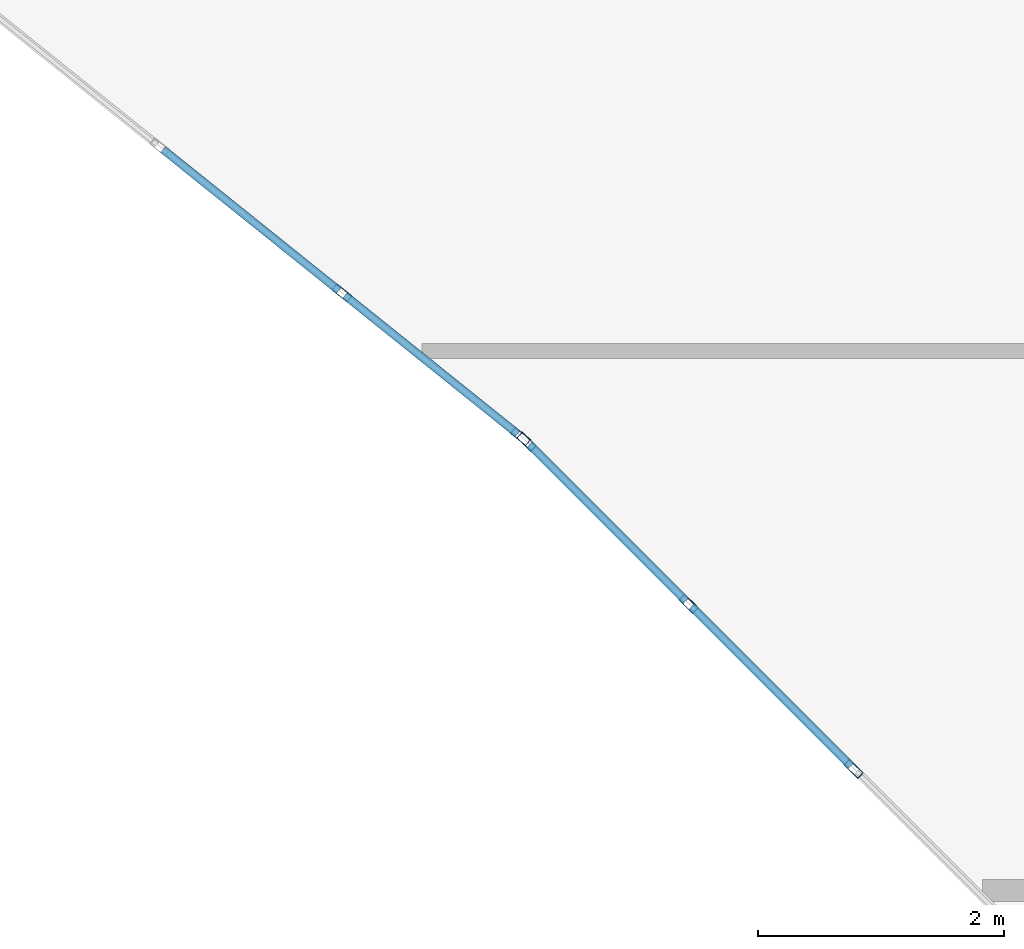
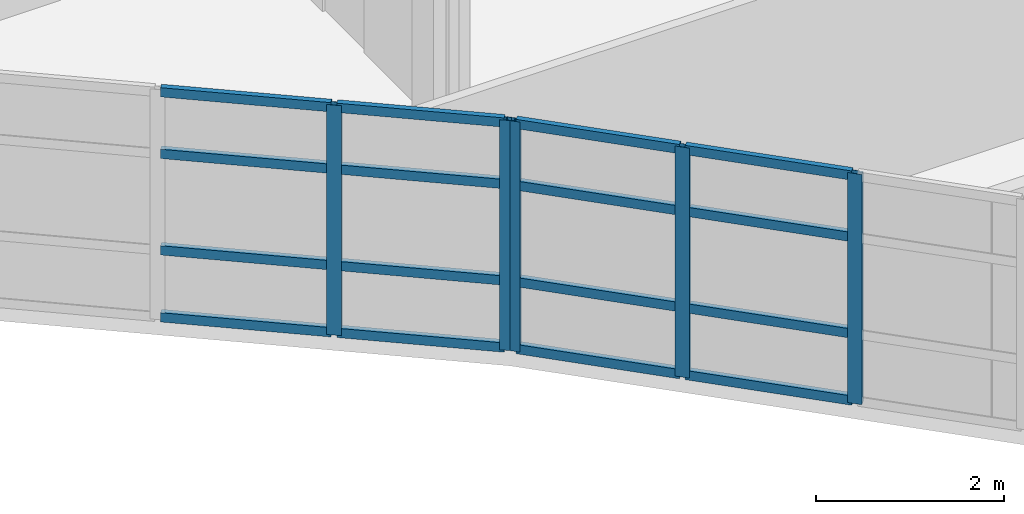
# One storey, part 7 of 18: 21 members, 2 elements without a shape of their own.
"""IFC4 building model written with IfcOpenShell, lengths in metres."""

from ifc_helpers import new_model, si_unit, direction, frame, origin, origin_2d, place, context, subcontext, project, spatial, hollow_rectangle, extrude, material, layer, layer_set, material_profile, profile_set, type_object, element, aggregate, save


model = new_model("IFC4")

# Units and contexts
model_context = context("Model", 3, precision=1e-05, world=origin(), true_north=direction((0.0, 1.0)))
body_context = subcontext(model_context, "Body", "Model", "MODEL_VIEW")
ifc_project = project(units=[si_unit("LENGTHUNIT", "METRE"), si_unit("AREAUNIT", "SQUARE_METRE"), si_unit("VOLUMEUNIT", "CUBIC_METRE"), si_unit("PLANEANGLEUNIT", "RADIAN"), si_unit("MASSUNIT", "GRAM", prefix="KILO")], contexts=[model_context])

# Site, building, storey
site_placement = place(None, origin())
site = spatial("IfcSite", under=ifc_project, at=site_placement, CompositionType="ELEMENT")
building_placement = place(site_placement, origin())
building = spatial("IfcBuilding", under=site, at=building_placement, Name="Keldmere Railside Commons", CompositionType="ELEMENT")
storey_placement = place(building_placement, frame((0.0, 0.0, 39.360107421875)))
storey = spatial("IfcBuildingStorey", under=building, at=storey_placement, Name="L12", CompositionType="ELEMENT", Elevation=39.360107421875)

# Curtain wall, members
ifc_material = material(Name="Thermally Broken Aluminium", Category="aluminium")
ifc_layer_1 = layer(ifc_material, 0.159912109375, Name="Court Chord Wintergarden CW 5400x2850")
ifc_layer_set_1 = layer_set([ifc_layer_1], Name="Thermally Broken Aluminium")
curtain_wall_type_1 = type_object("IfcCurtainWallType", Name="Court Chord Wintergarden CW 5400x2850", PredefinedType="NOTDEFINED", material=ifc_layer_set_1)
curtain_wall_1_placement = place(storey_placement, origin())
curtain_wall_1 = element("IfcCurtainWall", 1, at=curtain_wall_1_placement, inside=storey, type_object=curtain_wall_type_1, Name="CW-13 CW-L12-193", PredefinedType="NOTDEFINED")
ifc_material_profile_1 = material_profile(ifc_material, hollow_rectangle(XDim=0.06494140625, YDim=0.159912109375, WallThickness=0.00390625, at=origin_2d()), Name="ALU-MULL-65x160")
ifc_profile_set_1 = profile_set([ifc_material_profile_1], Name="Thermally Broken Aluminium")
member_type_1 = type_object("IfcMemberType", Name="Unitised Curtain Wall Mullion 65x160", PredefinedType="MULLION", material=ifc_profile_set_1)
member_1_placement = place(storey_placement, frame((160.404541015625, 96.46630859375, 0.0), z_axis=(0.0, 0.0, 1.0), x_axis=(-0.625768080915, -0.780009172323, 0.0)))
member_1 = element("IfcMember", 2, at=member_1_placement, type_object=member_type_1, Name="CW-13 mullion 1", PredefinedType="MULLION", context=body_context, shape_type="SweptSolid", body=[
    extrude(hollow_rectangle(XDim=0.06494140625, YDim=0.159912109375, WallThickness=0.00390625, at=origin_2d()), origin(), (0.0, 0.0, 1.0), 2.97998046875),
])
member_2_placement = place(storey_placement, frame((158.953369140625, 97.630615234375, 0.0), z_axis=(0.0, 0.0, 1.0), x_axis=(-0.625768080915, -0.780009172323, 0.0)))
member_2 = element("IfcMember", 3, at=member_2_placement, type_object=member_type_1, Name="CW-13 mullion 2", PredefinedType="MULLION", context=body_context, shape_type="SweptSolid", body=[
    extrude(hollow_rectangle(XDim=0.06494140625, YDim=0.159912109375, WallThickness=0.00390625, at=origin_2d()), origin(), (0.0, 0.0, 1.0), 2.97998046875),
])

ifc_layer_2 = layer(ifc_material, 0.159912109375, Name="Court Chord Wintergarden CW 4800x2850")
ifc_layer_set_2 = layer_set([ifc_layer_2], Name="Thermally Broken Aluminium")
curtain_wall_type_2 = type_object("IfcCurtainWallType", Name="Court Chord Wintergarden CW 4800x2850", PredefinedType="NOTDEFINED", material=ifc_layer_set_2)
curtain_wall_2_placement = place(storey_placement, origin())
curtain_wall_2 = element("IfcCurtainWall", 4, at=curtain_wall_2_placement, inside=storey, type_object=curtain_wall_type_2, Name="CW-12 CW-L12-194", PredefinedType="NOTDEFINED")
member_3_placement = place(storey_placement, frame((163.107421875, 93.7685546875, 0.0), z_axis=(0.0, 0.0, 1.0), x_axis=(-0.707106781187, -0.707106781187, 0.0)))
member_3 = element("IfcMember", 5, at=member_3_placement, type_object=member_type_1, Name="CW-12 mullion 2", PredefinedType="MULLION", context=body_context, shape_type="SweptSolid", body=[
    extrude(hollow_rectangle(XDim=0.06494140625, YDim=0.159912109375, WallThickness=0.00390625, at=origin_2d()), origin(), (0.0, 0.0, 1.0), 2.97998046875),
])
member_4_placement = place(storey_placement, frame((161.7685546875, 95.107421875, 0.0), z_axis=(0.0, 0.0, 1.0), x_axis=(-0.707106781187, -0.707106781187, 0.0)))
member_4 = element("IfcMember", 6, at=member_4_placement, type_object=member_type_1, Name="CW-12 mullion 3", PredefinedType="MULLION", context=body_context, shape_type="SweptSolid", body=[
    extrude(hollow_rectangle(XDim=0.06494140625, YDim=0.159912109375, WallThickness=0.00390625, at=origin_2d()), origin(), (0.0, 0.0, 1.0), 2.97998046875),
])
member_5_placement = place(storey_placement, frame((160.452880859375, 96.423095703125, 0.0), z_axis=(0.0, 0.0, 1.0), x_axis=(-0.707106781187, -0.707106781187, 0.0)))
member_5 = element("IfcMember", 7, at=member_5_placement, type_object=member_type_1, Name="CW-12 mullion 4", PredefinedType="MULLION", context=body_context, shape_type="SweptSolid", body=[
    extrude(hollow_rectangle(XDim=0.06494140625, YDim=0.159912109375, WallThickness=0.00390625, at=origin_2d()), origin(), (0.0, 0.0, 1.0), 2.97998046875),
])

# Member
ifc_material_profile_2 = material_profile(ifc_material, hollow_rectangle(XDim=0.06494140625, YDim=0.1201171875, WallThickness=0.00390625, at=origin_2d()), Name="ALU-TRAN-65x120")
ifc_profile_set_2 = profile_set([ifc_material_profile_2], Name="Thermally Broken Aluminium")
member_type_2 = type_object("IfcMemberType", Name="Unitised Curtain Wall Transom 65x120", PredefinedType="USERDEFINED", material=ifc_profile_set_2)
member_6_placement = place(storey_placement, frame((160.37939453125, 96.486572265625, 0.032470703125), z_axis=(-0.779979331565, 0.625805275091, 0.0), x_axis=(-0.625805275091, -0.779979331565, 0.0)))
member_6 = element("IfcMember", 8, at=member_6_placement, type_object=member_type_2, Name="CW-13 transom 1.1", ObjectType="TRANSOM", PredefinedType="USERDEFINED", context=body_context, shape_type="SweptSolid", body=[
    extrude(hollow_rectangle(XDim=0.06494140625, YDim=0.1201171875, WallThickness=0.00390625, at=origin_2d()), origin(), (0.0, 0.0, 1.0), 1.795654296875),
])

member_7_placement = place(storey_placement, frame((160.37939453125, 96.486572265625, 0.89990234375), z_axis=(-0.779979331565, 0.625805275091, 0.0), x_axis=(-0.625805275091, -0.779979331565, 0.0)))
member_7 = element("IfcMember", 9, at=member_7_placement, type_object=member_type_2, Name="CW-13 transom 1.2", ObjectType="TRANSOM", PredefinedType="USERDEFINED", context=body_context, shape_type="SweptSolid", body=[
    extrude(hollow_rectangle(XDim=0.06494140625, YDim=0.1201171875, WallThickness=0.00390625, at=origin_2d()), origin(), (0.0, 0.0, 1.0), 1.795654296875),
])

member_8_placement = place(storey_placement, frame((160.37939453125, 96.486572265625, 2.14990234375), z_axis=(-0.779979331565, 0.625805275091, 0.0), x_axis=(-0.625805275091, -0.779979331565, 0.0)))
member_8 = element("IfcMember", 10, at=member_8_placement, type_object=member_type_2, Name="CW-13 transom 1.3", ObjectType="TRANSOM", PredefinedType="USERDEFINED", context=body_context, shape_type="SweptSolid", body=[
    extrude(hollow_rectangle(XDim=0.06494140625, YDim=0.1201171875, WallThickness=0.00390625, at=origin_2d()), origin(), (0.0, 0.0, 1.0), 1.795654296875),
])

member_9_placement = place(storey_placement, frame((160.37939453125, 96.486572265625, 2.947509765625), z_axis=(-0.779979331565, 0.625805275091, 0.0), x_axis=(-0.625805275091, -0.779979331565, 0.0)))
member_9 = element("IfcMember", 11, at=member_9_placement, type_object=member_type_2, Name="CW-13 transom 1.4", ObjectType="TRANSOM", PredefinedType="USERDEFINED", context=body_context, shape_type="SweptSolid", body=[
    extrude(hollow_rectangle(XDim=0.06494140625, YDim=0.1201171875, WallThickness=0.00390625, at=origin_2d()), origin(), (0.0, 0.0, 1.0), 1.795654296875),
])

member_10_placement = place(storey_placement, frame((158.927978515625, 97.651123046875, 0.032470703125), z_axis=(-0.78007338409, 0.625688033635, 0.0), x_axis=(-0.625688033635, -0.78007338409, 0.0)))
member_10 = element("IfcMember", 12, at=member_10_placement, type_object=member_type_2, Name="CW-13 transom 2.1", ObjectType="TRANSOM", PredefinedType="USERDEFINED", context=body_context, shape_type="SweptSolid", body=[
    extrude(hollow_rectangle(XDim=0.06494140625, YDim=0.1201171875, WallThickness=0.00390625, at=origin_2d()), origin(), (0.0, 0.0, 1.0), 1.828125),
])

member_11_placement = place(storey_placement, frame((158.927978515625, 97.651123046875, 0.89990234375), z_axis=(-0.78007338409, 0.625688033635, 0.0), x_axis=(-0.625688033635, -0.78007338409, 0.0)))
member_11 = element("IfcMember", 13, at=member_11_placement, type_object=member_type_2, Name="CW-13 transom 2.2", ObjectType="TRANSOM", PredefinedType="USERDEFINED", context=body_context, shape_type="SweptSolid", body=[
    extrude(hollow_rectangle(XDim=0.06494140625, YDim=0.1201171875, WallThickness=0.00390625, at=origin_2d()), origin(), (0.0, 0.0, 1.0), 1.828125),
])

member_12_placement = place(storey_placement, frame((158.927978515625, 97.651123046875, 2.14990234375), z_axis=(-0.78007338409, 0.625688033635, 0.0), x_axis=(-0.625688033635, -0.78007338409, 0.0)))
member_12 = element("IfcMember", 14, at=member_12_placement, type_object=member_type_2, Name="CW-13 transom 2.3", ObjectType="TRANSOM", PredefinedType="USERDEFINED", context=body_context, shape_type="SweptSolid", body=[
    extrude(hollow_rectangle(XDim=0.06494140625, YDim=0.1201171875, WallThickness=0.00390625, at=origin_2d()), origin(), (0.0, 0.0, 1.0), 1.828125),
])

member_13_placement = place(storey_placement, frame((158.927978515625, 97.651123046875, 2.947509765625), z_axis=(-0.78007338409, 0.625688033635, 0.0), x_axis=(-0.625688033635, -0.78007338409, 0.0)))
member_13 = element("IfcMember", 15, at=member_13_placement, type_object=member_type_2, Name="CW-13 transom 2.4", ObjectType="TRANSOM", PredefinedType="USERDEFINED", context=body_context, shape_type="SweptSolid", body=[
    extrude(hollow_rectangle(XDim=0.06494140625, YDim=0.1201171875, WallThickness=0.00390625, at=origin_2d()), origin(), (0.0, 0.0, 1.0), 1.828125),
])

aggregate(curtain_wall_1, [member_1, member_2, member_6, member_7, member_8, member_9, member_10, member_11, member_12, member_13])

member_14_placement = place(storey_placement, frame((163.08447265625, 93.791748046875, 0.032470703125), z_axis=(-0.707106781187, 0.707106781187, 0.0), x_axis=(-0.707106781187, -0.707106781187, 0.0)))
member_14 = element("IfcMember", 16, at=member_14_placement, type_object=member_type_2, Name="CW-12 transom 2.1", ObjectType="TRANSOM", PredefinedType="USERDEFINED", context=body_context, shape_type="SweptSolid", body=[
    extrude(hollow_rectangle(XDim=0.06494140625, YDim=0.1201171875, WallThickness=0.00390625, at=origin_2d()), origin(), (0.0, 0.0, 1.0), 1.828125),
])

member_15_placement = place(storey_placement, frame((163.08447265625, 93.791748046875, 0.89990234375), z_axis=(-0.707106781187, 0.707106781187, 0.0), x_axis=(-0.707106781187, -0.707106781187, 0.0)))
member_15 = element("IfcMember", 17, at=member_15_placement, type_object=member_type_2, Name="CW-12 transom 2.2", ObjectType="TRANSOM", PredefinedType="USERDEFINED", context=body_context, shape_type="SweptSolid", body=[
    extrude(hollow_rectangle(XDim=0.06494140625, YDim=0.1201171875, WallThickness=0.00390625, at=origin_2d()), origin(), (0.0, 0.0, 1.0), 1.828125),
])

member_16_placement = place(storey_placement, frame((163.08447265625, 93.791748046875, 2.14990234375), z_axis=(-0.707106781187, 0.707106781187, 0.0), x_axis=(-0.707106781187, -0.707106781187, 0.0)))
member_16 = element("IfcMember", 18, at=member_16_placement, type_object=member_type_2, Name="CW-12 transom 2.3", ObjectType="TRANSOM", PredefinedType="USERDEFINED", context=body_context, shape_type="SweptSolid", body=[
    extrude(hollow_rectangle(XDim=0.06494140625, YDim=0.1201171875, WallThickness=0.00390625, at=origin_2d()), origin(), (0.0, 0.0, 1.0), 1.828125),
])

member_17_placement = place(storey_placement, frame((163.08447265625, 93.791748046875, 2.947509765625), z_axis=(-0.707106781187, 0.707106781187, 0.0), x_axis=(-0.707106781187, -0.707106781187, 0.0)))
member_17 = element("IfcMember", 19, at=member_17_placement, type_object=member_type_2, Name="CW-12 transom 2.4", ObjectType="TRANSOM", PredefinedType="USERDEFINED", context=body_context, shape_type="SweptSolid", body=[
    extrude(hollow_rectangle(XDim=0.06494140625, YDim=0.1201171875, WallThickness=0.00390625, at=origin_2d()), origin(), (0.0, 0.0, 1.0), 1.828125),
])

member_18_placement = place(storey_placement, frame((161.74560546875, 95.13037109375, 0.032470703125), z_axis=(-0.707038793419, 0.707174762418, 0.0), x_axis=(-0.707174762418, -0.707038793419, 0.0)))
member_18 = element("IfcMember", 20, at=member_18_placement, type_object=member_type_2, Name="CW-12 transom 3.1", ObjectType="TRANSOM", PredefinedType="USERDEFINED", context=body_context, shape_type="SweptSolid", body=[
    extrude(hollow_rectangle(XDim=0.06494140625, YDim=0.1201171875, WallThickness=0.00390625, at=origin_2d()), origin(), (0.0, 0.0, 1.0), 1.795654296875),
])

member_19_placement = place(storey_placement, frame((161.74560546875, 95.13037109375, 0.89990234375), z_axis=(-0.707038793419, 0.707174762418, 0.0), x_axis=(-0.707174762418, -0.707038793419, 0.0)))
member_19 = element("IfcMember", 21, at=member_19_placement, type_object=member_type_2, Name="CW-12 transom 3.2", ObjectType="TRANSOM", PredefinedType="USERDEFINED", context=body_context, shape_type="SweptSolid", body=[
    extrude(hollow_rectangle(XDim=0.06494140625, YDim=0.1201171875, WallThickness=0.00390625, at=origin_2d()), origin(), (0.0, 0.0, 1.0), 1.795654296875),
])

member_20_placement = place(storey_placement, frame((161.74560546875, 95.13037109375, 2.14990234375), z_axis=(-0.707038793419, 0.707174762418, 0.0), x_axis=(-0.707174762418, -0.707038793419, 0.0)))
member_20 = element("IfcMember", 22, at=member_20_placement, type_object=member_type_2, Name="CW-12 transom 3.3", ObjectType="TRANSOM", PredefinedType="USERDEFINED", context=body_context, shape_type="SweptSolid", body=[
    extrude(hollow_rectangle(XDim=0.06494140625, YDim=0.1201171875, WallThickness=0.00390625, at=origin_2d()), origin(), (0.0, 0.0, 1.0), 1.795654296875),
])

member_21_placement = place(storey_placement, frame((161.74560546875, 95.13037109375, 2.947509765625), z_axis=(-0.707038793419, 0.707174762418, 0.0), x_axis=(-0.707174762418, -0.707038793419, 0.0)))
member_21 = element("IfcMember", 23, at=member_21_placement, type_object=member_type_2, Name="CW-12 transom 3.4", ObjectType="TRANSOM", PredefinedType="USERDEFINED", context=body_context, shape_type="SweptSolid", body=[
    extrude(hollow_rectangle(XDim=0.06494140625, YDim=0.1201171875, WallThickness=0.00390625, at=origin_2d()), origin(), (0.0, 0.0, 1.0), 1.795654296875),
])

aggregate(curtain_wall_2, [member_3, member_4, member_5, member_14, member_15, member_16, member_17, member_18, member_19, member_20, member_21])

save(model, "model.ifc")
